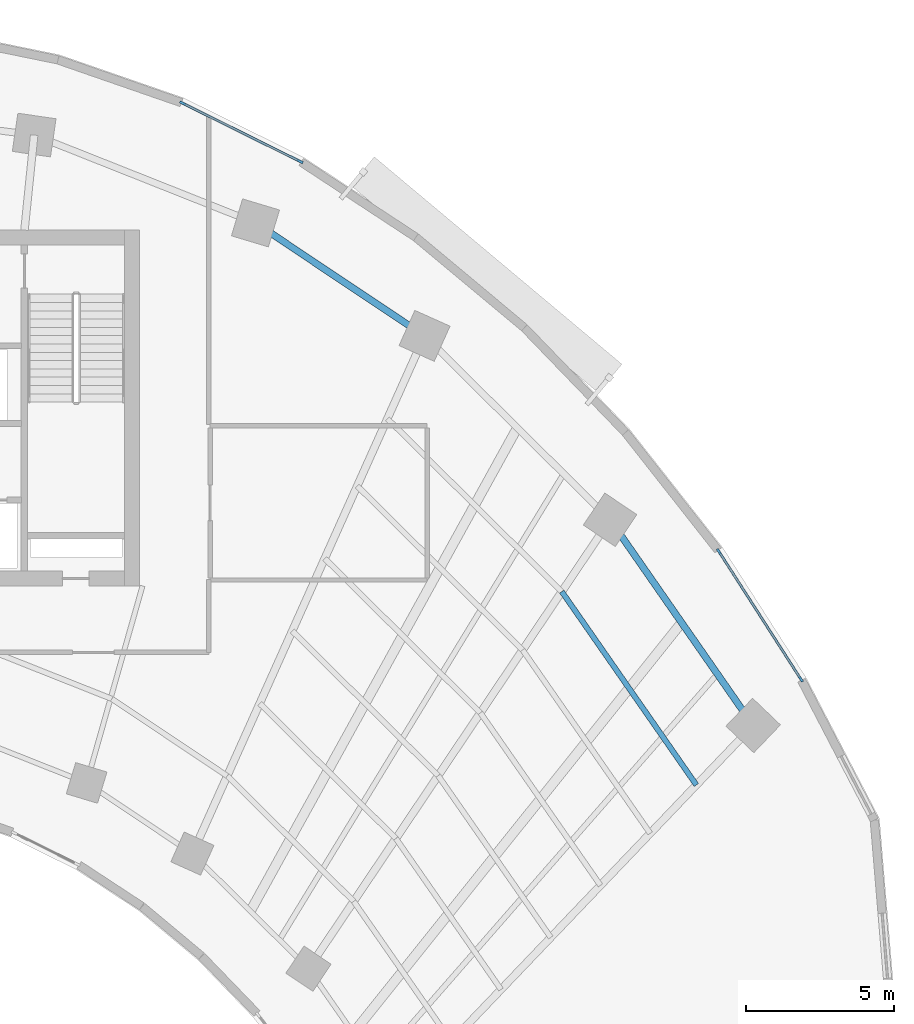
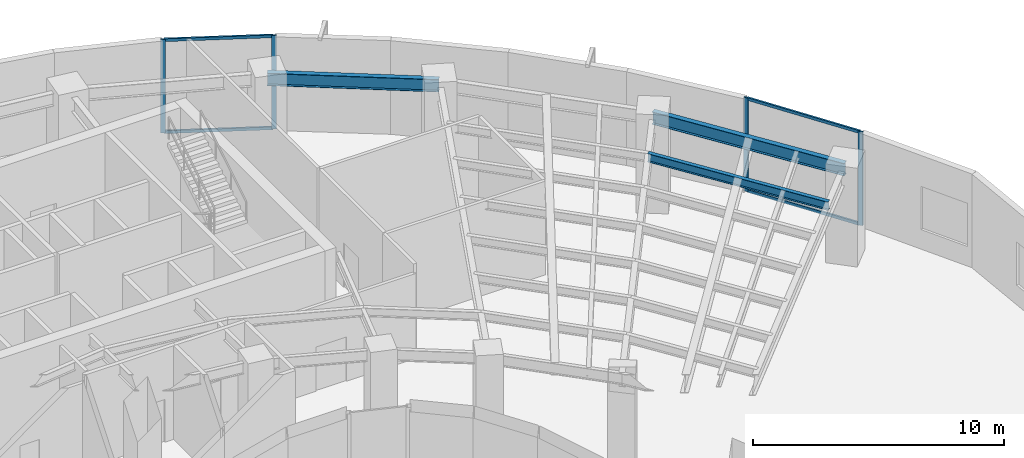
# One storey, part 6 of 15: 8 members, 3 beams, 2 elements without a shape of their own.
"""IFC4 building model written with IfcOpenShell, lengths in metres."""

from ifc_helpers import new_model, si_unit, direction, frame, origin, origin_2d, place, context, subcontext, project, spatial, rectangle, i_section, extrude, source, transform, mapped, material, layer, layer_set, material_profile, profile_set, type_object, element, aggregate, save


model = new_model("IFC4")

# Units and contexts
model_context = context("Model", 3, precision=1e-05, world=origin(), true_north=direction((0.0, 1.0)))
body_context = subcontext(model_context, "Body", "Model", "MODEL_VIEW")
ifc_project = project(units=[si_unit("LENGTHUNIT", "METRE"), si_unit("AREAUNIT", "SQUARE_METRE"), si_unit("VOLUMEUNIT", "CUBIC_METRE"), si_unit("PLANEANGLEUNIT", "RADIAN"), si_unit("MASSUNIT", "GRAM", prefix="KILO")], contexts=[model_context])

# Site, building, storey
site_placement = place(None, origin())
site = spatial("IfcSite", under=ifc_project, at=site_placement, CompositionType="ELEMENT")
building_placement = place(site_placement, origin())
building = spatial("IfcBuilding", under=site, at=building_placement, Name="Breltana Convention Tower", CompositionType="ELEMENT")
storey_placement = place(building_placement, frame((0.0, 0.0, 91.199951171875)))
storey = spatial("IfcBuildingStorey", under=building, at=storey_placement, Name="L21", CompositionType="ELEMENT", Elevation=91.199951171875)

# Beams
ifc_material_1 = material(Name="Steel ASTM A992 Grade 50", Category="steel")
ifc_material_profile_1 = material_profile(ifc_material_1, i_section(OverallWidth=0.179931640625, OverallDepth=0.4130859375, WebThickness=0.009765625, FlangeThickness=0.01611328125, at=origin_2d()), Name="W16X50")
ifc_profile_set_1 = profile_set([ifc_material_profile_1], Name="Steel ASTM A992 Grade 50")
beam_type_1 = type_object("IfcBeamType", Name="BM-JSG-08", PredefinedType="JOIST", material=ifc_profile_set_1)
shared_shape_1 = source(origin(), body_context, "Body", "SweptSolid", [
    extrude(i_section(OverallWidth=0.179931640625, OverallDepth=0.4130859375, WebThickness=0.009765625, FlangeThickness=0.01611328125, at=origin_2d()), origin(), (0.0, 0.0, 1.0), 7.94384765625),
])
beam_1_placement = place(storey_placement, frame((73.539306640625, 60.00830078125, 4.343505859375), z_axis=(0.571213957374, -0.820801203034, 0.0), x_axis=(0.820801203034, 0.571213957374, 0.0)))
element("IfcBeam", 1, at=beam_1_placement, inside=storey, type_object=beam_type_1, Name="L21 Composite Floor Joist 10.6", PredefinedType="JOIST", context=body_context, shape_type="MappedRepresentation", body=[
    mapped(shared_shape_1, transform((0.0, 0.0, 0.0), scale=1.0)),
])
ifc_material_profile_2 = material_profile(ifc_material_1, i_section(OverallWidth=0.22802734375, OverallDepth=0.60791015625, WebThickness=0.01123046875, FlangeThickness=0.017333984375, at=origin_2d()), Name="W24X76")
ifc_profile_set_2 = profile_set([ifc_material_profile_2], Name="Steel ASTM A992 Grade 50")
beam_type_2 = type_object("IfcBeamType", Name="BM-SP-W24X76", PredefinedType="SPANDREL", material=ifc_profile_set_2)
shared_shape_2 = source(origin(), body_context, "Body", "SweptSolid", [
    extrude(i_section(OverallWidth=0.22802734375, OverallDepth=0.60791015625, WebThickness=0.01123046875, FlangeThickness=0.017333984375, at=origin_2d()), origin(), (0.0, 0.0, 1.0), 6.856689453125),
])
beam_2_placement = place(storey_placement, frame((63.208984375, 72.4423828125, 4.24609375), z_axis=(0.83150210718, -0.55552159792, 0.0), x_axis=(0.55552159792, 0.83150210718, 0.0)))
element("IfcBeam", 2, at=beam_2_placement, inside=storey, type_object=beam_type_2, Name="L21 Outer Spandrel Beam 08", PredefinedType="SPANDREL", context=body_context, shape_type="MappedRepresentation", body=[
    mapped(shared_shape_2, transform((0.0, 0.0, 0.0), scale=1.0)),
])
shared_shape_3 = source(origin(), body_context, "Body", "SweptSolid", [
    extrude(i_section(OverallWidth=0.22802734375, OverallDepth=0.60791015625, WebThickness=0.01123046875, FlangeThickness=0.017333984375, at=origin_2d()), origin(), (0.0, 0.0, 1.0), 8.44970703125),
])
beam_3_placement = place(storey_placement, frame((75.166748046875, 62.43017578125, 4.24609375), z_axis=(0.5711855381, -0.820820979913, 0.0), x_axis=(0.820820979913, 0.5711855381, 0.0)))
element("IfcBeam", 3, at=beam_3_placement, inside=storey, type_object=beam_type_2, Name="L21 Outer Spandrel Beam 10", PredefinedType="SPANDREL", context=body_context, shape_type="MappedRepresentation", body=[
    mapped(shared_shape_3, transform((0.0, 0.0, 0.0), scale=1.0)),
])

# Curtain wall, members
ifc_material_2 = material(Name="Aluminium Anodised Bronze Frame", Category="aluminium")
ifc_layer = layer(ifc_material_2, 0.239990234375, Name="Aluminium Anodised Bronze Frame")
ifc_layer_set = layer_set([ifc_layer], Name="Aluminium Anodised Bronze Frame")
curtain_wall_type = type_object("IfcCurtainWallType", Name="CW-SYS-6", PredefinedType="NOTDEFINED", material=ifc_layer_set)
curtain_wall_1_placement = place(storey_placement, origin())
curtain_wall_1 = element("IfcCurtainWall", 4, at=curtain_wall_1_placement, inside=storey, type_object=curtain_wall_type, Name="L21 outer double-skin inner glazing 4", PredefinedType="NOTDEFINED")
ifc_material_3 = material(Name="Aluminium Anodised Bronze", Category="aluminium")
ifc_material_profile_3 = material_profile(ifc_material_3, rectangle(XDim=0.080078125, YDim=0.199951171875, at=origin_2d()), Name="CWM-80X200")
ifc_profile_set_3 = profile_set([ifc_material_profile_3], Name="Aluminium Anodised Bronze")
member_type_1 = type_object("IfcMemberType", Name="CWM-200", PredefinedType="MULLION", material=ifc_profile_set_3)
shared_shape_4 = source(origin(), body_context, "Body", "SweptSolid", [
    extrude(rectangle(XDim=0.080078125, YDim=0.199951171875, at=origin_2d()), origin(), (0.0, 0.0, 1.0), 4.550048828125),
])
member_1_placement = place(storey_placement, frame((60.750244140625, 76.479736328125, 0.0), z_axis=(0.0, 0.0, 1.0), x_axis=(0.444121541007, 0.895966548937, 0.0)))
member_1 = element("IfcMember", 5, at=member_1_placement, type_object=member_type_1, Name="CW-06 mullion 1", PredefinedType="MULLION", context=body_context, shape_type="MappedRepresentation", body=[
    mapped(shared_shape_4, transform((0.0, 0.0, 0.0), scale=1.0)),
])
member_2_placement = place(storey_placement, frame((64.715576171875, 74.51416015625, 0.0), z_axis=(0.0, 0.0, 1.0), x_axis=(0.444121541007, 0.895966548937, 0.0)))
member_2 = element("IfcMember", 6, at=member_2_placement, type_object=member_type_1, Name="CW-06 mullion 2", PredefinedType="MULLION", context=body_context, shape_type="MappedRepresentation", body=[
    mapped(shared_shape_4, transform((0.0, 0.0, 0.0), scale=1.0)),
])

curtain_wall_2_placement = place(storey_placement, origin())
curtain_wall_2 = element("IfcCurtainWall", 7, at=curtain_wall_2_placement, inside=storey, type_object=curtain_wall_type, Name="L21 outer double-skin inner glazing 5", PredefinedType="NOTDEFINED")
member_3_placement = place(storey_placement, frame((78.8330078125, 61.36669921875, 0.0), z_axis=(0.0, 0.0, 1.0), x_axis=(0.84155155167, 0.540176809834, 0.0)))
member_3 = element("IfcMember", 8, at=member_3_placement, type_object=member_type_1, Name="CW-06 mullion 1", PredefinedType="MULLION", context=body_context, shape_type="MappedRepresentation", body=[
    mapped(shared_shape_4, transform((0.0, 0.0, 0.0), scale=1.0)),
])
member_4_placement = place(storey_placement, frame((81.6015625, 57.0537109375, 0.0), z_axis=(0.0, 0.0, 1.0), x_axis=(0.84155155167, 0.540176809834, 0.0)))
member_4 = element("IfcMember", 9, at=member_4_placement, type_object=member_type_1, Name="CW-06 mullion 2", PredefinedType="MULLION", context=body_context, shape_type="MappedRepresentation", body=[
    mapped(shared_shape_4, transform((0.0, 0.0, 0.0), scale=1.0)),
])

# Member
ifc_material_profile_4 = material_profile(ifc_material_3, rectangle(XDim=0.080078125, YDim=0.139892578125, at=origin_2d()), Name="CWT-80X140")
ifc_profile_set_4 = profile_set([ifc_material_profile_4], Name="Aluminium Anodised Bronze")
member_type_2 = type_object("IfcMemberType", Name="CWT-140", PredefinedType="USERDEFINED", material=ifc_profile_set_4)
shared_shape_5 = source(origin(), body_context, "Body", "SweptSolid", [
    extrude(rectangle(XDim=0.080078125, YDim=0.139892578125, at=origin_2d()), origin(), (0.0, 0.0, 1.0), 4.345947265625),
])
member_5_placement = place(storey_placement, frame((60.785888671875, 76.4619140625, 0.0400390625), z_axis=(0.895961132927, -0.444132467046, 0.0), x_axis=(0.444132467046, 0.895961132927, 0.0)))
member_5 = element("IfcMember", 10, at=member_5_placement, type_object=member_type_2, Name="CW-06 transom 1.1", ObjectType="TRANSOM", PredefinedType="USERDEFINED", context=body_context, shape_type="MappedRepresentation", body=[
    mapped(shared_shape_5, transform((0.0, 0.0, 0.0), scale=1.0)),
])

member_6_placement = place(storey_placement, frame((60.785888671875, 76.4619140625, 4.510009765625), z_axis=(0.895961132927, -0.444132467046, 0.0), x_axis=(0.444132467046, 0.895961132927, 0.0)))
member_6 = element("IfcMember", 11, at=member_6_placement, type_object=member_type_2, Name="CW-06 transom 1.2", ObjectType="TRANSOM", PredefinedType="USERDEFINED", context=body_context, shape_type="MappedRepresentation", body=[
    mapped(shared_shape_5, transform((0.0, 0.0, 0.0), scale=1.0)),
])

aggregate(curtain_wall_1, [member_1, member_2, member_5, member_6])

shared_shape_6 = source(origin(), body_context, "Body", "SweptSolid", [
    extrude(rectangle(XDim=0.080078125, YDim=0.139892578125, at=origin_2d()), origin(), (0.0, 0.0, 1.0), 5.045166015625),
])
member_7_placement = place(storey_placement, frame((78.854736328125, 61.3330078125, 0.0400390625), z_axis=(0.540199829005, -0.841536775633, 0.0), x_axis=(0.841536775633, 0.540199829005, 0.0)))
member_7 = element("IfcMember", 12, at=member_7_placement, type_object=member_type_2, Name="CW-06 transom 1.1", ObjectType="TRANSOM", PredefinedType="USERDEFINED", context=body_context, shape_type="MappedRepresentation", body=[
    mapped(shared_shape_6, transform((0.0, 0.0, 0.0), scale=1.0)),
])

member_8_placement = place(storey_placement, frame((78.854736328125, 61.3330078125, 4.510009765625), z_axis=(0.540199829005, -0.841536775633, 0.0), x_axis=(0.841536775633, 0.540199829005, 0.0)))
member_8 = element("IfcMember", 13, at=member_8_placement, type_object=member_type_2, Name="CW-06 transom 1.2", ObjectType="TRANSOM", PredefinedType="USERDEFINED", context=body_context, shape_type="MappedRepresentation", body=[
    mapped(shared_shape_6, transform((0.0, 0.0, 0.0), scale=1.0)),
])

aggregate(curtain_wall_2, [member_3, member_4, member_7, member_8])

save(model, "model.ifc")
